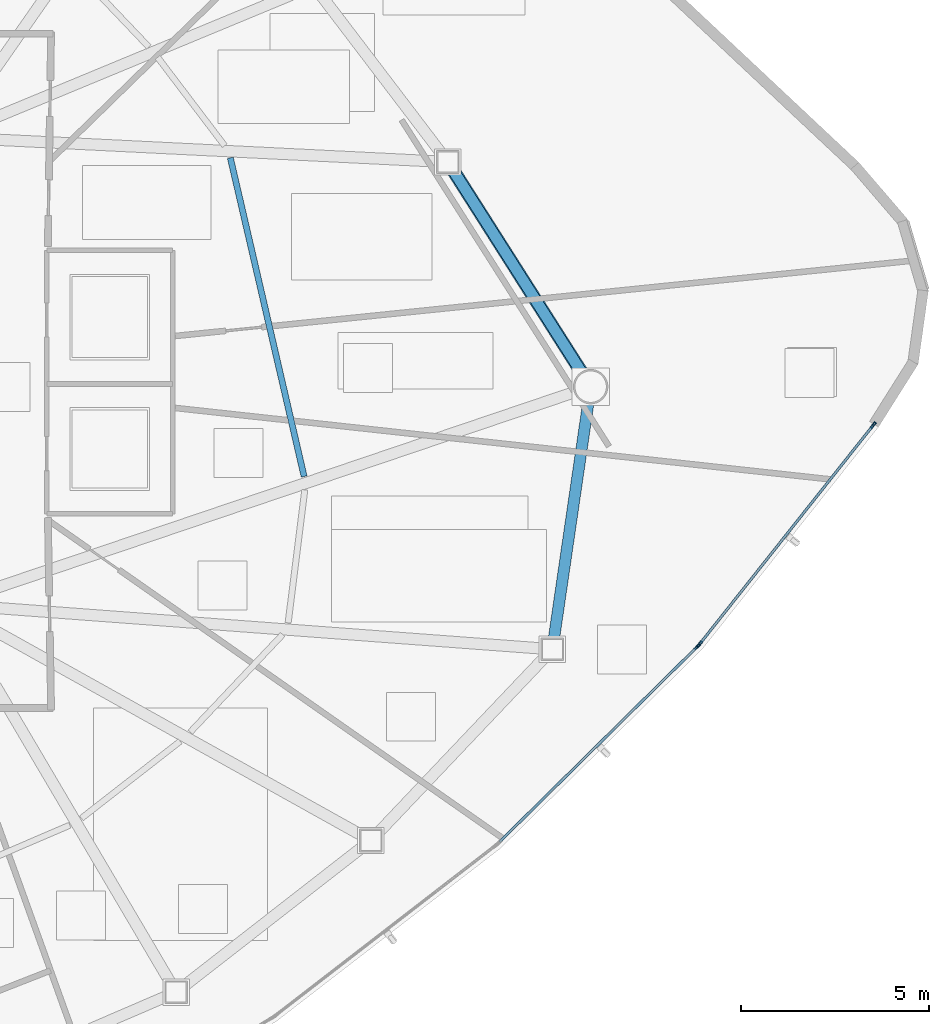
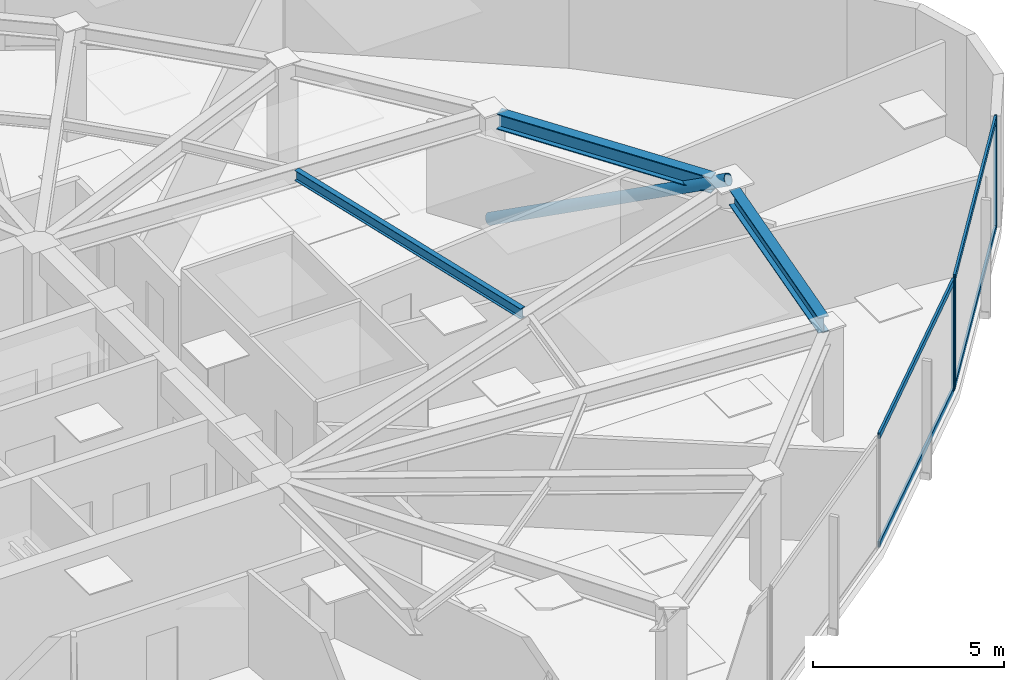
# One storey, part 6 of 18: 8 members, 3 beams, 2 elements without a shape of their own.
"""IFC4 building model written with IfcOpenShell, lengths in metres."""

import ifcopenshell
import ifcopenshell.guid

model = None  # the IFC model being written
_history = None  # IfcOwnerHistory: only IFC2X3 demands one
_inside = {}  # id of a spatial element -> (the spatial element, [elements in it])
_under = {}  # id of a project, library or spatial element -> (it, [spatial elements below it])
_declared = {}  # id of a project -> (the project, [libraries it declares])
_typed = {}  # id of a type object -> (the type object, [elements of that type])
_made_of = {}  # id of a material, layer set ... -> (it, [elements and type objects made of it])


def new_model(schema):
    """Start an empty IFC model of exactly this schema.

    Asked for "IFC4X3", IfcOpenShell would pick the latest addendum, in which some entities
    have other attributes; the version numbers below select the first issue.
    IFC2X3 requires an IfcOwnerHistory on every rooted entity: one is made here for all.
    """
    global model, _history
    if schema == "IFC4X3":
        model = ifcopenshell.file(schema_version=(4, 3, 0, 0))
    else:
        model = ifcopenshell.file(schema=schema)
    _inside.clear()
    _under.clear()
    _declared.clear()
    _typed.clear()
    _made_of.clear()
    _history = None
    if model.schema == "IFC2X3":
        org = make("IfcOrganization", Name="unknown")
        user = make(
            "IfcPersonAndOrganization",
            ThePerson=make("IfcPerson", FamilyName="unknown"),
            TheOrganization=org,
        )
        app = make(
            "IfcApplication",
            ApplicationDeveloper=org,
            Version="unknown",
            ApplicationFullName="unknown",
            ApplicationIdentifier="unknown",
        )
        _history = make(
            "IfcOwnerHistory",
            OwningUser=user,
            OwningApplication=app,
            ChangeAction="ADDED",
            CreationDate=0,
        )
    return model


def make(cls, **values):
    """One entity of the class cls with the attributes given. An attribute that is None is left unset."""
    return model.create_entity(
        cls, **{name: value for name, value in values.items() if value is not None}
    )


def rooted(cls, **values):
    """An entity with a GlobalId (a new one), such as an element, a storey or a relation."""
    return make(cls, GlobalId=ifcopenshell.guid.new(), OwnerHistory=_history, **values)


def si_unit(unit_type, name, prefix=None):
    """IfcSIUnit, for example si_unit("LENGTHUNIT", "METRE", prefix="MILLI")."""
    return make("IfcSIUnit", UnitType=unit_type, Prefix=prefix, Name=name)


def assignment(units):
    """IfcUnitAssignment: the units of a project."""
    return None if units is None else make("IfcUnitAssignment", Units=units)


def point(xyz):
    """IfcCartesianPoint."""
    return None if xyz is None else make("IfcCartesianPoint", Coordinates=xyz)


def direction(xyz):
    """IfcDirection."""
    return None if xyz is None else make("IfcDirection", DirectionRatios=xyz)


def frame(location, z_axis=None, x_axis=None):
    """IfcAxis2Placement3D, a coordinate frame: its origin and axes. An axis left out is left unset."""
    return make(
        "IfcAxis2Placement3D",
        Location=point(location),
        Axis=direction(z_axis),
        RefDirection=direction(x_axis),
    )


def frame_2d(location, x_axis=None):
    """IfcAxis2Placement2D, a coordinate frame in the plane: its origin and x axis."""
    return make(
        "IfcAxis2Placement2D", Location=point(location), RefDirection=direction(x_axis)
    )


def origin():
    """The frame at (0, 0, 0) with its axes left unset."""
    return frame((0.0, 0.0, 0.0))


def origin_2d():
    """The frame at (0, 0) in the plane with its x axis left unset."""
    return frame_2d((0.0, 0.0))


def place(relative_to, where):
    """IfcLocalPlacement: puts the frame where relative to a parent placement (None: the world)."""
    return make(
        "IfcLocalPlacement", PlacementRelTo=relative_to, RelativePlacement=where
    )


def context(
    kind, dimensions, precision=None, world=None, true_north=None, identifier=None
):
    """IfcGeometricRepresentationContext, for example the 3D "Model" context."""
    return make(
        "IfcGeometricRepresentationContext",
        ContextIdentifier=identifier,
        ContextType=kind,
        CoordinateSpaceDimension=dimensions,
        Precision=precision,
        WorldCoordinateSystem=world,
        TrueNorth=true_north,
    )


def subcontext(parent, identifier, kind, view, scale=None):
    """IfcGeometricRepresentationSubContext, for example "Body" below "Model"."""
    return make(
        "IfcGeometricRepresentationSubContext",
        ContextIdentifier=identifier,
        ContextType=kind,
        ParentContext=parent,
        TargetScale=scale,
        TargetView=view,
    )


def project(units=None, contexts=None):
    """IfcProject with its units and contexts."""
    return rooted(
        "IfcProject",
        Name="project",
        RepresentationContexts=contexts,
        UnitsInContext=assignment(units),
    )


def spatial(cls, under=None, at=None, **own):
    """A site, building, storey or space (cls), placed at a placement, below another one or the project."""
    s = rooted(cls, ObjectPlacement=at, **own)
    if under is not None:
        _under.setdefault(under.id(), (under, []))[1].append(s)
    return s


def profile(cls, at=None, kind="AREA", **sizes):
    """A parametric profile (cls). Its sizes go by their IFC names, for example OverallWidth=200.0."""
    return make(cls, ProfileType=kind, Position=at, **sizes)


def hollow_rectangle(**sizes):
    """IfcRectangleHollowProfileDef."""
    return profile("IfcRectangleHollowProfileDef", **sizes)


def hollow_circle(**sizes):
    """IfcCircleHollowProfileDef."""
    return profile("IfcCircleHollowProfileDef", **sizes)


def i_section(**sizes):
    """IfcIShapeProfileDef."""
    return profile("IfcIShapeProfileDef", **sizes)


def extrude(swept, where, along, depth):
    """IfcExtrudedAreaSolid: the profile swept, set in the frame where, extruded along a direction by depth."""
    return make(
        "IfcExtrudedAreaSolid",
        SweptArea=swept,
        Position=where,
        ExtrudedDirection=direction(along),
        Depth=depth,
    )


def shape(context_of_items, identifier, shape_type, items):
    """IfcShapeRepresentation: the items that make up one representation, for example the "Body"."""
    return make(
        "IfcShapeRepresentation",
        ContextOfItems=context_of_items,
        RepresentationIdentifier=identifier,
        RepresentationType=shape_type,
        Items=items,
    )


def source(mapping_origin, context_of_items, identifier, shape_type, items):
    """IfcRepresentationMap: a shape defined once, which mapped items show again and again."""
    return make(
        "IfcRepresentationMap",
        MappingOrigin=mapping_origin,
        MappedRepresentation=shape(context_of_items, identifier, shape_type, items),
    )


def transform(
    local_origin,
    x_axis=None,
    y_axis=None,
    z_axis=None,
    scale=None,
    scale2=None,
    scale3=None,
    uniform=True,
):
    """IfcCartesianTransformationOperator3D, or its non-uniform kind. x_axis, y_axis, z_axis: its Axis1, 2, 3."""
    if uniform:
        return make(
            "IfcCartesianTransformationOperator3D",
            Axis1=direction(x_axis),
            Axis2=direction(y_axis),
            LocalOrigin=point(local_origin),
            Scale=scale,
            Axis3=direction(z_axis),
        )
    return make(
        "IfcCartesianTransformationOperator3DnonUniform",
        Axis1=direction(x_axis),
        Axis2=direction(y_axis),
        LocalOrigin=point(local_origin),
        Scale=scale,
        Axis3=direction(z_axis),
        Scale2=scale2,
        Scale3=scale3,
    )


def mapped(mapping_source, mapping_target):
    """IfcMappedItem: shows the shape of a source again, moved by a transform."""
    return make(
        "IfcMappedItem", MappingSource=mapping_source, MappingTarget=mapping_target
    )


def material(Name=None, Category=None):
    """IfcMaterial."""
    return make("IfcMaterial", Name=Name, Category=Category)


def layer(
    of_material, thickness, ventilated=None, Name=None, Category=None, Priority=None
):
    """IfcMaterialLayer: one layer of a wall or slab, of a material (None: an air gap)."""
    return make(
        "IfcMaterialLayer",
        Material=of_material,
        LayerThickness=thickness,
        IsVentilated=ventilated,
        Name=Name,
        Category=Category,
        Priority=Priority,
    )


def layer_set(layers, Name=None):
    """IfcMaterialLayerSet."""
    return make("IfcMaterialLayerSet", MaterialLayers=layers, LayerSetName=Name)


def material_profile(
    of_material, cross_section, Name=None, Category=None, Priority=None
):
    """IfcMaterialProfile: a cross section and its material."""
    return make(
        "IfcMaterialProfile",
        Name=Name,
        Material=of_material,
        Profile=cross_section,
        Priority=Priority,
        Category=Category,
    )


def profile_set(profiles, Name=None, composite=None):
    """IfcMaterialProfileSet."""
    return make(
        "IfcMaterialProfileSet",
        Name=Name,
        MaterialProfiles=profiles,
        CompositeProfile=composite,
    )


def made_of(thing, what):
    """Note that an element or type object is made of a material, layer set ...; save() writes the relation."""
    if what is not None:
        _made_of.setdefault(what.id(), (what, []))[1].append(thing)
    return thing


def type_object(cls, material=None, **own):
    """A type object (cls), such as IfcWallType, which elements share."""
    return made_of(rooted(cls, **own), material)


def type_shapes(of_type, sources):
    """Give a type object the sources (RepresentationMaps) that its elements show as mapped items."""
    of_type.RepresentationMaps = sources


def element(
    cls,
    number,
    at=None,
    inside=None,
    cuts=None,
    type_object=None,
    material=None,
    context=None,
    identifier="Body",
    shape_type=None,
    held_by="IfcProductDefinitionShape",
    body=None,
    shapes=None,
    **own,
):
    """One element of the class cls, such as IfcWall. Its Tag is "e" and its number.

    at: its placement. inside: the storey or other place that contains it. cuts: it is an
    opening in that element (IfcRelVoidsElement). A single representation is given by context,
    identifier, shape_type and body (its items); several are given by shapes. held_by: the class
    of the entity that holds the representations. save() writes the other relations.
    """
    e = rooted(cls, Tag="e%d" % number, ObjectPlacement=at, **own)
    if body is not None:
        shapes = [shape(context, identifier, shape_type, body)]
    if shapes is not None:
        e.Representation = make(held_by, Representations=shapes)
    if inside is not None:
        _inside.setdefault(inside.id(), (inside, []))[1].append(e)
    if cuts is not None:
        rooted(
            "IfcRelVoidsElement", RelatingBuildingElement=cuts, RelatedOpeningElement=e
        )
    if type_object is not None:
        _typed.setdefault(type_object.id(), (type_object, []))[1].append(e)
    return made_of(e, material)


def aggregate(whole, parts):
    """IfcRelAggregates: a whole, such as a stair, and the parts it consists of."""
    return rooted("IfcRelAggregates", RelatingObject=whole, RelatedObjects=parts)


def save(model, path):
    """Write the relations noted so far, then the file.

    IfcRelAggregates (storeys below a building ...), IfcRelContainedInSpatialStructure (elements
    in a storey), IfcRelDefinesByType, IfcRelAssociatesMaterial and IfcRelDeclares: one each for
    every whole, place, type object, material and project.
    """
    for whole, parts in _under.values():
        aggregate(whole, parts)
    for where, things in _inside.values():
        rooted(
            "IfcRelContainedInSpatialStructure",
            RelatedElements=things,
            RelatingStructure=where,
        )
    for kind, things in _typed.values():
        rooted("IfcRelDefinesByType", RelatedObjects=things, RelatingType=kind)
    for what, things in _made_of.values():
        rooted("IfcRelAssociatesMaterial", RelatedObjects=things, RelatingMaterial=what)
    for by, libraries in _declared.values():
        rooted("IfcRelDeclares", RelatingContext=by, RelatedDefinitions=libraries)
    model.write(path)


model = new_model("IFC4")

# Units and contexts
model_context = context("Model", 3, precision=1e-05, world=origin(), true_north=direction((0.0, 1.0)))
body_context = subcontext(model_context, "Body", "Model", "MODEL_VIEW")
ifc_project = project(units=[si_unit("LENGTHUNIT", "METRE"), si_unit("AREAUNIT", "SQUARE_METRE"), si_unit("VOLUMEUNIT", "CUBIC_METRE"), si_unit("PLANEANGLEUNIT", "RADIAN"), si_unit("MASSUNIT", "GRAM", prefix="KILO")], contexts=[model_context])

# Site, building, storey
site_placement = place(None, origin())
site = spatial("IfcSite", under=ifc_project, at=site_placement, CompositionType="ELEMENT")
building_placement = place(site_placement, origin())
building = spatial("IfcBuilding", under=site, at=building_placement, Name="Tavelor Broadcast Tower", CompositionType="ELEMENT")
storey_placement = place(building_placement, frame((0.0, 0.0, 177.199951171875)))
storey = spatial("IfcBuildingStorey", under=building, at=storey_placement, Name="L42", CompositionType="ELEMENT", Elevation=177.199951171875)

# Beams
ifc_material_1 = material(Name="Steel S355", Category="steel")
ifc_material_profile_1 = material_profile(ifc_material_1, i_section(OverallWidth=0.159912109375, OverallDepth=0.330078125, WebThickness=0.007568359375, FlangeThickness=0.011474609375, at=origin_2d()), Name="IPE 330")
ifc_profile_set_1 = profile_set([ifc_material_profile_1], Name="Steel S355")
beam_type_1 = type_object("IfcBeamType", Name="Composite Floor Joist T4 IPE 330", PredefinedType="JOIST", material=ifc_profile_set_1)
beam_1_placement = place(storey_placement, frame((66.069091796875, 42.195068359375, 3.385009765625), z_axis=(-0.225617102792, 0.974216055569, 0.0), x_axis=(-0.974216055569, -0.225617102792, 0.0)))
element("IfcBeam", 1, at=beam_1_placement, inside=storey, type_object=beam_type_1, Name="L42 Secondary Composite Floor Joist 13", PredefinedType="JOIST", context=body_context, shape_type="SweptSolid", body=[
    extrude(i_section(OverallWidth=0.159912109375, OverallDepth=0.330078125, WebThickness=0.007568359375, FlangeThickness=0.011474609375, at=origin_2d()), origin(), (0.0, 0.0, 1.0), 8.683837890625),
])
ifc_material_profile_2 = material_profile(ifc_material_1, i_section(OverallWidth=0.300048828125, OverallDepth=0.5, WebThickness=0.014404296875, FlangeThickness=0.028076171875, at=origin_2d()), Name="HEB 500")
ifc_profile_set_2 = profile_set([ifc_material_profile_2], Name="Steel S355")
beam_type_2 = type_object("IfcBeamType", Name="Perimeter Spandrel Beam T4 HEB 500", PredefinedType="SPANDREL", material=ifc_profile_set_2)
beam_2_placement = place(storey_placement, frame((72.700927734375, 37.892333984375, 3.300048828125), z_axis=(0.144298223799, 0.989534245293, 0.0), x_axis=(-0.989534245293, 0.144298223799, 0.0)))
element("IfcBeam", 2, at=beam_2_placement, inside=storey, type_object=beam_type_2, Name="L42 Framed-Tube Ring Spandrel 12", PredefinedType="SPANDREL", context=body_context, shape_type="SweptSolid", body=[
    extrude(i_section(OverallWidth=0.300048828125, OverallDepth=0.5, WebThickness=0.014404296875, FlangeThickness=0.028076171875, at=origin_2d()), origin(), (0.0, 0.0, 1.0), 6.3193359375),
])
beam_3_placement = place(storey_placement, frame((73.440673828125, 44.94970703125, 3.300048828125), z_axis=(-0.536287336864, 0.844035480486, 0.0), x_axis=(-0.844035480486, -0.536287336864, 0.0)))
element("IfcBeam", 3, at=beam_3_placement, inside=storey, type_object=beam_type_2, Name="L42 Framed-Tube Ring Spandrel 13", PredefinedType="SPANDREL", context=body_context, shape_type="SweptSolid", body=[
    extrude(i_section(OverallWidth=0.300048828125, OverallDepth=0.5, WebThickness=0.014404296875, FlangeThickness=0.028076171875, at=origin_2d()), origin(), (0.0, 0.0, 1.0), 6.340087890625),
])

# Member
ifc_material_profile_3 = material_profile(ifc_material_1, hollow_circle(Radius=0.177734375, WallThickness=0.01611328125, at=origin_2d()), Name="CHS 355.6x16")
ifc_profile_set_3 = profile_set([ifc_material_profile_3], Name="Steel S355")
member_type_1 = type_object("IfcMemberType", Name="Perimeter Tube Brace T4 CHS 355.6x16", PredefinedType="BRACE", material=ifc_profile_set_3)
member_1_placement = place(storey_placement, frame((69.885986328125, 50.544189453125, 0.0), z_axis=(0.479238755177, -0.754205232397, 0.448892729904), x_axis=(0.844021198089, 0.536309814544, 0.0)))
element("IfcMember", 4, at=member_1_placement, inside=storey, type_object=member_type_1, Name="L42 Corner Tube Diagonal Brace 3", PredefinedType="BRACE", context=body_context, shape_type="SweptSolid", body=[
    extrude(hollow_circle(Radius=0.177734375, WallThickness=0.01611328125, at=origin_2d()), origin(), (0.0, 0.0, 1.0), 7.908447265625),
])

# Curtain wall, member
ifc_material_2 = material(Name="Architectural Anodized Aluminium", Category="aluminium")
ifc_layer = layer(ifc_material_2, 0.18994140625)
ifc_layer_set = layer_set([ifc_layer], Name="Architectural Anodized Aluminium")
curtain_wall_type = type_object("IfcCurtainWallType", Name="Tower Mid-Zone Acoustic Curtain Wall CW03", PredefinedType="NOTDEFINED", material=ifc_layer_set)
curtain_wall_1_placement = place(storey_placement, origin())
curtain_wall_1 = element("IfcCurtainWall", 5, at=curtain_wall_1_placement, inside=storey, type_object=curtain_wall_type, Name="L42 Curtain Wall CW03 Run 451", PredefinedType="NOTDEFINED")
ifc_material_profile_4 = material_profile(ifc_material_2, hollow_rectangle(XDim=0.068115234375, YDim=0.18994140625, WallThickness=0.02197265625, at=origin_2d()), Name="RHS 68x190x22")
ifc_profile_set_4 = profile_set([ifc_material_profile_4], Name="Architectural Anodized Aluminium")
member_type_2 = type_object("IfcMemberType", Name="CW03 Extruded Aluminium Mullion 68x190", PredefinedType="MULLION", material=ifc_profile_set_4)
shared_shape_1 = source(origin(), body_context, "Body", "SweptSolid", [
    extrude(hollow_rectangle(XDim=0.068115234375, YDim=0.18994140625, WallThickness=0.02197265625, at=origin_2d()), origin(), (0.0, 0.0, 1.0), 3.550048828125),
])
type_shapes(member_type_2, [shared_shape_1])
member_2_placement = place(storey_placement, frame((76.502685546875, 37.67138671875, 0.0), z_axis=(0.0, 0.0, 1.0), x_axis=(-0.702482749615, 0.711700770333, 0.0)))
member_2 = element("IfcMember", 6, at=member_2_placement, type_object=member_type_2, Name="CW03 mullion 2", PredefinedType="MULLION", context=body_context, shape_type="MappedRepresentation", body=[
    mapped(shared_shape_1, transform((0.0, 0.0, 0.0), scale=1.0)),
])

# Curtain wall, members
curtain_wall_2_placement = place(storey_placement, origin())
curtain_wall_2 = element("IfcCurtainWall", 7, at=curtain_wall_2_placement, inside=storey, type_object=curtain_wall_type, Name="L42 Curtain Wall CW03 Run 452", PredefinedType="NOTDEFINED")
member_3_placement = place(storey_placement, frame((76.56787109375, 37.744140625, 0.0), z_axis=(0.0, 0.0, 1.0), x_axis=(-0.783438504228, 0.621469315487, 0.0)))
member_3 = element("IfcMember", 8, at=member_3_placement, type_object=member_type_2, Name="CW03 mullion 1", PredefinedType="MULLION", context=body_context, shape_type="MappedRepresentation", body=[
    mapped(shared_shape_1, transform((0.0, 0.0, 0.0), scale=1.0)),
])
member_4_placement = place(storey_placement, frame((81.1806640625, 43.55908203125, 0.0), z_axis=(0.0, 0.0, 1.0), x_axis=(-0.783438504228, 0.621469315487, 0.0)))
member_4 = element("IfcMember", 9, at=member_4_placement, type_object=member_type_2, Name="CW03 mullion 2", PredefinedType="MULLION", context=body_context, shape_type="MappedRepresentation", body=[
    mapped(shared_shape_1, transform((0.0, 0.0, 0.0), scale=1.0)),
])

# Member
ifc_material_profile_5 = material_profile(ifc_material_2, hollow_rectangle(XDim=0.068115234375, YDim=0.18994140625, WallThickness=0.02197265625, at=origin_2d()), Name="RHS 68x190x22")
ifc_profile_set_5 = profile_set([ifc_material_profile_5], Name="Architectural Anodized Aluminium")
member_type_3 = type_object("IfcMemberType", Name="CW03 Extruded Aluminium Transom 68x190", PredefinedType="USERDEFINED", material=ifc_profile_set_5)
shared_shape_2 = source(origin(), body_context, "Body", "SweptSolid", [
    extrude(hollow_rectangle(XDim=0.068115234375, YDim=0.18994140625, WallThickness=0.02197265625, at=origin_2d()), origin(), (0.0, 0.0, 1.0), 7.338623046875),
])
member_5_placement = place(storey_placement, frame((71.255615234375, 32.4921875, 0.033935546875), z_axis=(0.711699368036, 0.702484170311, 0.0), x_axis=(-0.702484170311, 0.711699368036, 0.0)))
member_5 = element("IfcMember", 10, at=member_5_placement, type_object=member_type_3, Name="CW03 transom 1.1", ObjectType="TRANSOM", PredefinedType="USERDEFINED", context=body_context, shape_type="MappedRepresentation", body=[
    mapped(shared_shape_2, transform((0.0, 0.0, 0.0), scale=1.0)),
])

member_6_placement = place(storey_placement, frame((71.255615234375, 32.4921875, 3.51611328125), z_axis=(0.711699368036, 0.702484170311, 0.0), x_axis=(-0.702484170311, 0.711699368036, 0.0)))
member_6 = element("IfcMember", 11, at=member_6_placement, type_object=member_type_3, Name="CW03 transom 1.2", ObjectType="TRANSOM", PredefinedType="USERDEFINED", context=body_context, shape_type="MappedRepresentation", body=[
    mapped(shared_shape_2, transform((0.0, 0.0, 0.0), scale=1.0)),
])

aggregate(curtain_wall_1, [member_2, member_5, member_6])

shared_shape_3 = source(origin(), body_context, "Body", "SweptSolid", [
    extrude(hollow_rectangle(XDim=0.068115234375, YDim=0.18994140625, WallThickness=0.02197265625, at=origin_2d()), origin(), (0.0, 0.0, 1.0), 7.354248046875),
])
type_shapes(member_type_3, [shared_shape_2, shared_shape_3])
member_7_placement = place(storey_placement, frame((76.589111328125, 37.770751953125, 0.033935546875), z_axis=(0.621450926499, 0.783453091099, 0.0), x_axis=(-0.783453091099, 0.621450926499, 0.0)))
member_7 = element("IfcMember", 12, at=member_7_placement, type_object=member_type_3, Name="CW03 transom 1.1", ObjectType="TRANSOM", PredefinedType="USERDEFINED", context=body_context, shape_type="MappedRepresentation", body=[
    mapped(shared_shape_3, transform((0.0, 0.0, 0.0), scale=1.0)),
])

member_8_placement = place(storey_placement, frame((76.589111328125, 37.770751953125, 3.51611328125), z_axis=(0.621450926499, 0.783453091099, 0.0), x_axis=(-0.783453091099, 0.621450926499, 0.0)))
member_8 = element("IfcMember", 13, at=member_8_placement, type_object=member_type_3, Name="CW03 transom 1.2", ObjectType="TRANSOM", PredefinedType="USERDEFINED", context=body_context, shape_type="MappedRepresentation", body=[
    mapped(shared_shape_3, transform((0.0, 0.0, 0.0), scale=1.0)),
])

aggregate(curtain_wall_2, [member_3, member_4, member_7, member_8])

save(model, "model.ifc")
